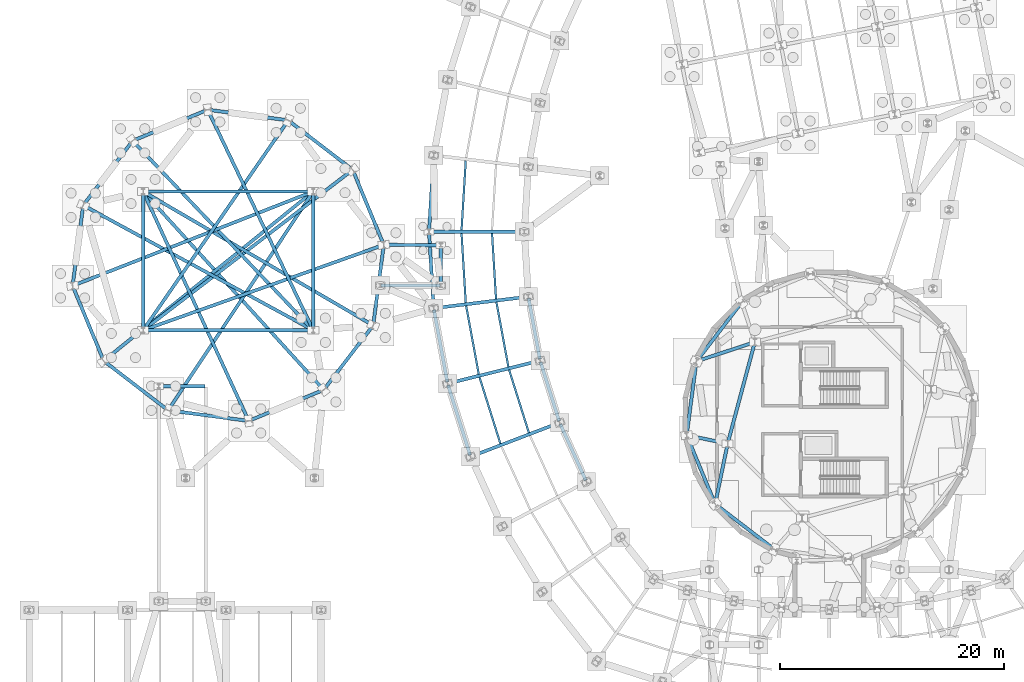
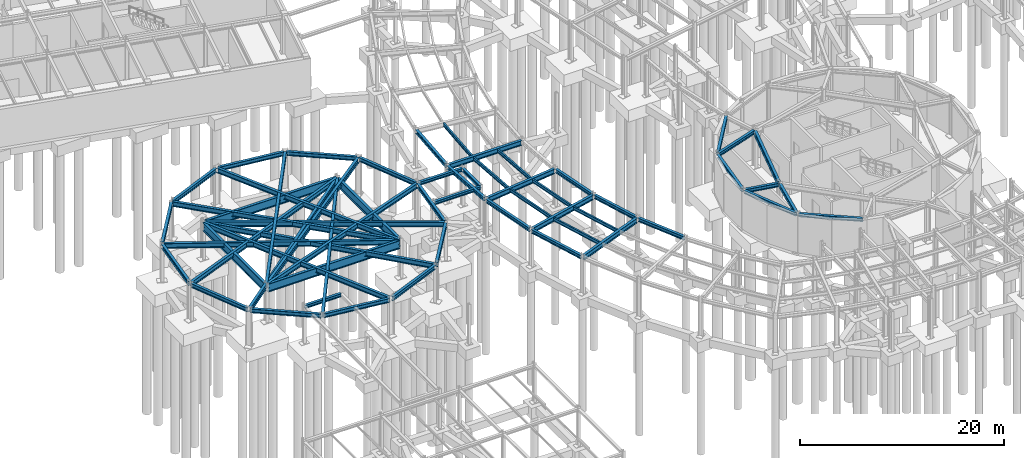
# One storey, part 29 of 50: 58 beams.
"""IFC4 building model written with IfcOpenShell, lengths in metres."""

from ifc_helpers import new_model, si_unit, direction, frame, origin, origin_2d, place, context, subcontext, project, spatial, i_section, extrude, material, material_profile, profile_set, type_object, element, save


model = new_model("IFC4")

# Units and contexts
model_context = context("Model", 3, precision=1e-05, world=origin(), true_north=direction((0.0, 1.0)))
body_context = subcontext(model_context, "Body", "Model", "MODEL_VIEW")
ifc_project = project(units=[si_unit("LENGTHUNIT", "METRE"), si_unit("AREAUNIT", "SQUARE_METRE"), si_unit("VOLUMEUNIT", "CUBIC_METRE"), si_unit("PLANEANGLEUNIT", "RADIAN"), si_unit("MASSUNIT", "GRAM", prefix="KILO")], contexts=[model_context])

# Site, building, storey
site_placement = place(None, origin())
site = spatial("IfcSite", under=ifc_project, at=site_placement, CompositionType="ELEMENT")
building_placement = place(site_placement, origin())
building = spatial("IfcBuilding", under=site, at=building_placement, Name="Varnklinge Art Gallery", CompositionType="ELEMENT")
storey_placement = place(building_placement, frame((0.0, 0.0, -4.800048828125)))
storey = spatial("IfcBuildingStorey", under=building, at=storey_placement, Name="B01", CompositionType="ELEMENT", Elevation=-4.800048828125)

# Beams
ifc_material_1 = material(Name="Steel S355", Category="steel")
ifc_material_profile_1 = material_profile(ifc_material_1, i_section(OverallWidth=0.300048828125, OverallDepth=1.0, WebThickness=0.01904296875, FlangeThickness=0.035888671875, FilletRadius=0.030029296875, at=origin_2d()), Name="HEB 1000")
ifc_profile_set_1 = profile_set([ifc_material_profile_1], Name="Steel S355")
beam_type_1 = type_object("IfcBeamType", Name="BM-01", PredefinedType="BEAM", material=ifc_profile_set_1)
beam_1_placement = place(storey_placement, frame((14.35009765625, 46.199951171875, 4.050048828125), z_axis=(1.0, 0.0, 0.0), x_axis=(0.0, 1.0, 0.0)))
element("IfcBeam", 1, at=beam_1_placement, inside=storey, type_object=beam_type_1, Name="B01 BM-01 BM-V3-L00-B1", PredefinedType="BEAM", context=body_context, shape_type="SweptSolid", body=[
    extrude(i_section(OverallWidth=0.300048828125, OverallDepth=1.0, WebThickness=0.01904296875, FlangeThickness=0.035888671875, FilletRadius=0.030029296875, at=origin_2d()), origin(), (0.0, 0.0, 1.0), 14.89990234375),
])
beam_2_placement = place(storey_placement, frame((29.39990234375, 46.35009765625, 4.050048828125), z_axis=(0.0, 1.0, 0.0), x_axis=(-1.0, 0.0, 0.0)))
element("IfcBeam", 2, at=beam_2_placement, inside=storey, type_object=beam_type_1, Name="B01 BM-01 BM-V3-L00-B2", PredefinedType="BEAM", context=body_context, shape_type="SweptSolid", body=[
    extrude(i_section(OverallWidth=0.300048828125, OverallDepth=1.0, WebThickness=0.01904296875, FlangeThickness=0.035888671875, FilletRadius=0.030029296875, at=origin_2d()), origin(), (0.0, 0.0, 1.0), 12.099853515625),
])
beam_3_placement = place(storey_placement, frame((29.25, 58.60009765625, 4.050048828125), z_axis=(-1.0, 0.0, 0.0), x_axis=(0.0, -1.0, 0.0)))
element("IfcBeam", 3, at=beam_3_placement, inside=storey, type_object=beam_type_1, Name="B01 BM-01 BM-V3-L00-B3", PredefinedType="BEAM", context=body_context, shape_type="SweptSolid", body=[
    extrude(i_section(OverallWidth=0.300048828125, OverallDepth=1.0, WebThickness=0.01904296875, FlangeThickness=0.035888671875, FilletRadius=0.030029296875, at=origin_2d()), origin(), (0.0, 0.0, 1.0), 14.89990234375),
])
beam_4_placement = place(storey_placement, frame((14.199951171875, 58.449951171875, 4.050048828125), z_axis=(0.0, -1.0, 0.0), x_axis=(1.0, 0.0, 0.0)))
element("IfcBeam", 4, at=beam_4_placement, inside=storey, type_object=beam_type_1, Name="B01 BM-01 BM-V3-L00-B4", PredefinedType="BEAM", context=body_context, shape_type="SweptSolid", body=[
    extrude(i_section(OverallWidth=0.300048828125, OverallDepth=1.0, WebThickness=0.01904296875, FlangeThickness=0.035888671875, FilletRadius=0.030029296875, at=origin_2d()), origin(), (0.0, 0.0, 1.0), 12.099853515625),
])
ifc_material_2 = material(Name="Steel S355", Category="steel")
ifc_material_profile_2 = material_profile(ifc_material_2, i_section(OverallWidth=0.300048828125, OverallDepth=0.590087890625, WebThickness=0.012939453125, FlangeThickness=0.02490234375, FilletRadius=0.027099609375, at=origin_2d()), Name="HEA 600")
ifc_profile_set_2 = profile_set([ifc_material_profile_2], Name="Steel S355")
beam_type_2 = type_object("IfcBeamType", Name="BM-06", PredefinedType="BEAM", material=ifc_profile_set_2)
for number, where, z_axis, x_axis, name in (
    (5, (39.881591796875, 55.0, 4.255126953125), (1.0, 0.0, 0.0), (0.0, 1.0, 0.0), "B01 BM-06 BM-V2-L00-R27"),
    (6, (40.297119140625, 48.18359375, 4.255126953125), (0.992595580805, 0.121466098009, 0.0), (-0.121466098009, 0.992595580805, 0.0), "B01 BM-06 BM-V2-L00-R28"),
):
    element("IfcBeam", number, at=place(storey_placement, frame(where, z_axis=z_axis, x_axis=x_axis)), inside=storey, type_object=beam_type_2, Name=name, PredefinedType="BEAM", context=body_context, shape_type="SweptSolid", body=[
        extrude(i_section(OverallWidth=0.300048828125, OverallDepth=0.590087890625, WebThickness=0.012939453125, FlangeThickness=0.02490234375, FilletRadius=0.027099609375, at=origin_2d()), origin(), (0.0, 0.0, 1.0), 8.23681640625),
    ])
beam_5_placement = place(storey_placement, frame((41.53759765625, 41.468017578125, 4.255126953125), z_axis=(0.970493677731, 0.241126567355, 0.0), x_axis=(-0.241126567355, 0.970493677731, 0.0)))
element("IfcBeam", 7, at=beam_5_placement, inside=storey, type_object=beam_type_2, Name="B01 BM-06 BM-V2-L00-R29", PredefinedType="BEAM", context=body_context, shape_type="SweptSolid", body=[
    extrude(i_section(OverallWidth=0.300048828125, OverallDepth=0.590087890625, WebThickness=0.012939453125, FlangeThickness=0.02490234375, FilletRadius=0.027099609375, at=origin_2d()), origin(), (0.0, 0.0, 1.0), 8.236572265625),
])
beam_6_placement = place(storey_placement, frame((43.584228515625, 34.952880859375, 4.255126953125), z_axis=(0.934013153302, 0.357238616976, 0.0), x_axis=(-0.357238616976, 0.934013153302, 0.0)))
element("IfcBeam", 8, at=beam_6_placement, inside=storey, type_object=beam_type_2, Name="B01 BM-06 BM-V2-L00-R30", PredefinedType="BEAM", context=body_context, shape_type="SweptSolid", body=[
    extrude(i_section(OverallWidth=0.300048828125, OverallDepth=0.590087890625, WebThickness=0.012939453125, FlangeThickness=0.02490234375, FilletRadius=0.027099609375, at=origin_2d()), origin(), (0.0, 0.0, 1.0), 8.237060546875),
])
beam_7_placement = place(storey_placement, frame((14.331787109375, 46.246826171875, 4.255126953125), z_axis=(0.942415078028, 0.334445542211, 0.0), x_axis=(-0.334445542211, 0.942415078028, 0.0)))
element("IfcBeam", 9, at=beam_7_placement, inside=storey, type_object=beam_type_2, Name="B01 BM-06 BM-V3-L00-R01", PredefinedType="BEAM", context=body_context, shape_type="SweptSolid", body=[
    extrude(i_section(OverallWidth=0.300048828125, OverallDepth=0.590087890625, WebThickness=0.012939453125, FlangeThickness=0.02490234375, FilletRadius=0.027099609375, at=origin_2d()), origin(), (0.0, 0.0, 1.0), 22.533935546875),
])
beam_8_placement = place(storey_placement, frame((14.311279296875, 46.28515625, 4.255126953125), z_axis=(0.793999311532, 0.607918656801, 0.0), x_axis=(-0.607918656801, 0.793999311532, 0.0)))
element("IfcBeam", 10, at=beam_8_placement, inside=storey, type_object=beam_type_2, Name="B01 BM-06 BM-V3-L00-R02", PredefinedType="BEAM", context=body_context, shape_type="SweptSolid", body=[
    extrude(i_section(OverallWidth=0.300048828125, OverallDepth=0.590087890625, WebThickness=0.012939453125, FlangeThickness=0.02490234375, FilletRadius=0.027099609375, at=origin_2d()), origin(), (0.0, 0.0, 1.0), 23.300048828125),
])
beam_9_placement = place(storey_placement, frame((14.279541015625, 46.315185546875, 4.255126953125), z_axis=(0.568696833089, 0.822547209608, 0.0), x_axis=(-0.822547209608, 0.568696833089, 0.0)))
element("IfcBeam", 11, at=beam_9_placement, inside=storey, type_object=beam_type_2, Name="B01 BM-06 BM-V3-L00-R03", PredefinedType="BEAM", context=body_context, shape_type="SweptSolid", body=[
    extrude(i_section(OverallWidth=0.300048828125, OverallDepth=0.590087890625, WebThickness=0.012939453125, FlangeThickness=0.02490234375, FilletRadius=0.027099609375, at=origin_2d()), origin(), (0.0, 0.0, 1.0), 22.518310546875),
])
beam_10_placement = place(storey_placement, frame((29.339599609375, 46.326416015625, 4.255126953125), z_axis=(-0.431765596733, 0.901985847715, 0.0), x_axis=(-0.901985847715, -0.431765596733, 0.0)))
element("IfcBeam", 12, at=beam_10_placement, inside=storey, type_object=beam_type_2, Name="B01 BM-06 BM-V3-L00-R04", PredefinedType="BEAM", context=body_context, shape_type="SweptSolid", body=[
    extrude(i_section(OverallWidth=0.300048828125, OverallDepth=0.590087890625, WebThickness=0.012939453125, FlangeThickness=0.02490234375, FilletRadius=0.027099609375, at=origin_2d()), origin(), (0.0, 0.0, 1.0), 21.560546875),
])
beam_11_placement = place(storey_placement, frame((29.303466796875, 46.30126953125, 4.255126953125), z_axis=(-0.690055379945, 0.723756569994, 0.0), x_axis=(-0.723756569994, -0.690055379945, 0.0)))
element("IfcBeam", 13, at=beam_11_placement, inside=storey, type_object=beam_type_2, Name="B01 BM-06 BM-V3-L00-R05", PredefinedType="BEAM", context=body_context, shape_type="SweptSolid", body=[
    extrude(i_section(OverallWidth=0.300048828125, OverallDepth=0.590087890625, WebThickness=0.012939453125, FlangeThickness=0.02490234375, FilletRadius=0.027099609375, at=origin_2d()), origin(), (0.0, 0.0, 1.0), 23.10205078125),
])
beam_12_placement = place(storey_placement, frame((29.277099609375, 46.266845703125, 4.255126953125), z_axis=(-0.878712659492, 0.477351088873, 0.0), x_axis=(-0.477351088873, -0.878712659492, 0.0)))
element("IfcBeam", 14, at=beam_12_placement, inside=storey, type_object=beam_type_2, Name="B01 BM-06 BM-V3-L00-R06", PredefinedType="BEAM", context=body_context, shape_type="SweptSolid", body=[
    extrude(i_section(OverallWidth=0.300048828125, OverallDepth=0.590087890625, WebThickness=0.012939453125, FlangeThickness=0.02490234375, FilletRadius=0.027099609375, at=origin_2d()), origin(), (0.0, 0.0, 1.0), 23.10986328125),
])
beam_13_placement = place(storey_placement, frame((29.269775390625, 58.548828125, 4.255126953125), z_axis=(-0.930996731965, -0.365027512757, 0.0), x_axis=(0.365027512757, -0.930996731965, 0.0)))
element("IfcBeam", 15, at=beam_13_placement, inside=storey, type_object=beam_type_2, Name="B01 BM-06 BM-V3-L00-R07", PredefinedType="BEAM", context=body_context, shape_type="SweptSolid", body=[
    extrude(i_section(OverallWidth=0.300048828125, OverallDepth=0.590087890625, WebThickness=0.012939453125, FlangeThickness=0.02490234375, FilletRadius=0.027099609375, at=origin_2d()), origin(), (0.0, 0.0, 1.0), 22.813720703125),
])
beam_14_placement = place(storey_placement, frame((29.291015625, 58.511962890625, 4.255126953125), z_axis=(-0.777684563624, -0.628654690192, 0.0), x_axis=(0.628654690192, -0.777684563624, 0.0)))
element("IfcBeam", 16, at=beam_14_placement, inside=storey, type_object=beam_type_2, Name="B01 BM-06 BM-V3-L00-R08", PredefinedType="BEAM", context=body_context, shape_type="SweptSolid", body=[
    extrude(i_section(OverallWidth=0.300048828125, OverallDepth=0.590087890625, WebThickness=0.012939453125, FlangeThickness=0.02490234375, FilletRadius=0.027099609375, at=origin_2d()), origin(), (0.0, 0.0, 1.0), 23.794921875),
])
beam_15_placement = place(storey_placement, frame((29.322509765625, 58.4833984375, 4.255126953125), z_axis=(-0.552625287953, -0.833429835748, 0.0), x_axis=(0.833429835748, -0.552625287953, 0.0)))
element("IfcBeam", 17, at=beam_15_placement, inside=storey, type_object=beam_type_2, Name="B01 BM-06 BM-V3-L00-R09", PredefinedType="BEAM", context=body_context, shape_type="SweptSolid", body=[
    extrude(i_section(OverallWidth=0.300048828125, OverallDepth=0.590087890625, WebThickness=0.012939453125, FlangeThickness=0.02490234375, FilletRadius=0.027099609375, at=origin_2d()), origin(), (0.0, 0.0, 1.0), 23.180908203125),
])
beam_16_placement = place(storey_placement, frame((14.258544921875, 58.472900390625, 4.255126953125), z_axis=(0.417901810576, -0.908492199591, 0.0), x_axis=(0.908492199591, 0.417901810576, 0.0)))
element("IfcBeam", 18, at=beam_16_placement, inside=storey, type_object=beam_type_2, Name="B01 BM-06 BM-V3-L00-R10", PredefinedType="BEAM", context=body_context, shape_type="SweptSolid", body=[
    extrude(i_section(OverallWidth=0.300048828125, OverallDepth=0.590087890625, WebThickness=0.012939453125, FlangeThickness=0.02490234375, FilletRadius=0.027099609375, at=origin_2d()), origin(), (0.0, 0.0, 1.0), 22.28515625),
])
beam_17_placement = place(storey_placement, frame((14.294189453125, 58.49658203125, 4.255126953125), z_axis=(0.673198970183, -0.739461389488, 0.0), x_axis=(0.739461389488, 0.673198970183, 0.0)))
element("IfcBeam", 19, at=beam_17_placement, inside=storey, type_object=beam_type_2, Name="B01 BM-06 BM-V3-L00-R11", PredefinedType="BEAM", context=body_context, shape_type="SweptSolid", body=[
    extrude(i_section(OverallWidth=0.300048828125, OverallDepth=0.590087890625, WebThickness=0.012939453125, FlangeThickness=0.02490234375, FilletRadius=0.027099609375, at=origin_2d()), origin(), (0.0, 0.0, 1.0), 23.687255859375),
])
beam_18_placement = place(storey_placement, frame((14.321044921875, 58.529541015625, 4.255126953125), z_axis=(0.864213746904, -0.503124835068, 0.0), x_axis=(0.503124835068, 0.864213746904, 0.0)))
element("IfcBeam", 20, at=beam_18_placement, inside=storey, type_object=beam_type_2, Name="B01 BM-06 BM-V3-L00-R12", PredefinedType="BEAM", context=body_context, shape_type="SweptSolid", body=[
    extrude(i_section(OverallWidth=0.300048828125, OverallDepth=0.590087890625, WebThickness=0.012939453125, FlangeThickness=0.02490234375, FilletRadius=0.027099609375, at=origin_2d()), origin(), (0.0, 0.0, 1.0), 23.501953125),
])
beam_19_placement = place(storey_placement, frame((68.81689453125, 45.01171875, 4.255126953125), z_axis=(-0.258808787016, -0.965928574877, 0.0), x_axis=(0.965928574877, -0.258808787016, 0.0)))
element("IfcBeam", 21, at=beam_19_placement, inside=storey, type_object=beam_type_2, Name="B01 BM-06 BM-V4D-L00-I3", PredefinedType="BEAM", context=body_context, shape_type="SweptSolid", body=[
    extrude(i_section(OverallWidth=0.300048828125, OverallDepth=0.590087890625, WebThickness=0.012939453125, FlangeThickness=0.02490234375, FilletRadius=0.027099609375, at=origin_2d()), origin(), (0.0, 0.0, 1.0), 9.1201171875),
])
ifc_material_3 = material(Name="Steel S355", Category="steel")
ifc_material_profile_3 = material_profile(ifc_material_3, i_section(OverallWidth=0.300048828125, OverallDepth=0.489990234375, WebThickness=0.011962890625, FlangeThickness=0.02294921875, FilletRadius=0.027099609375, at=origin_2d()), Name="HEA 500")
ifc_profile_set_3 = profile_set([ifc_material_profile_3], Name="Steel S355")
beam_type_3 = type_object("IfcBeamType", Name="BM-07", PredefinedType="BEAM", material=ifc_profile_set_3)
beam_20_placement = place(storey_placement, frame((35.646484375, 53.959228515625, 4.304931640625), z_axis=(-0.382686571243, 0.923878232339, 0.0), x_axis=(-0.923878232339, -0.382686571243, 0.0)))
element("IfcBeam", 22, at=beam_20_placement, inside=storey, type_object=beam_type_3, Name="B01 BM-07 BM-V3-L00-P01", PredefinedType="BEAM", context=body_context, shape_type="SweptSolid", body=[
    extrude(i_section(OverallWidth=0.300048828125, OverallDepth=0.489990234375, WebThickness=0.011962890625, FlangeThickness=0.02294921875, FilletRadius=0.027099609375, at=origin_2d()), origin(), (0.0, 0.0, 1.0), 6.9775390625),
])
beam_21_placement = place(storey_placement, frame((32.811767578125, 60.6201171875, 4.304931640625), z_axis=(-0.793346661628, 0.608770132713, 0.0), x_axis=(-0.608770132713, -0.793346661628, 0.0)))
element("IfcBeam", 23, at=beam_21_placement, inside=storey, type_object=beam_type_3, Name="B01 BM-07 BM-V3-L00-P02", PredefinedType="BEAM", context=body_context, shape_type="SweptSolid", body=[
    extrude(i_section(OverallWidth=0.300048828125, OverallDepth=0.489990234375, WebThickness=0.011962890625, FlangeThickness=0.02294921875, FilletRadius=0.027099609375, at=origin_2d()), origin(), (0.0, 0.0, 1.0), 6.977294921875),
])
beam_22_placement = place(storey_placement, frame((27.0263671875, 64.97119140625, 4.304931640625), z_axis=(-0.991445956564, 0.130517873155, 0.0), x_axis=(-0.130517873155, -0.991445956564, 0.0)))
element("IfcBeam", 24, at=beam_22_placement, inside=storey, type_object=beam_type_3, Name="B01 BM-07 BM-V3-L00-P03", PredefinedType="BEAM", context=body_context, shape_type="SweptSolid", body=[
    extrude(i_section(OverallWidth=0.300048828125, OverallDepth=0.489990234375, WebThickness=0.011962890625, FlangeThickness=0.02294921875, FilletRadius=0.027099609375, at=origin_2d()), origin(), (0.0, 0.0, 1.0), 6.97705078125),
])
for number, where, z_axis, x_axis, name in (
    (25, (19.8408203125, 65.846435546875, 4.304931640625), (-0.92389060297, -0.38265670482, 0.0), (0.38265670482, -0.92389060297, 0.0), "B01 BM-07 BM-V3-L00-P04"),
    (26, (13.179931640625, 63.01171875, 4.304931640625), (-0.608770132713, -0.793346661628, 0.0), (0.793346661628, -0.608770132713, 0.0), "B01 BM-07 BM-V3-L00-P05"),
):
    element("IfcBeam", number, at=place(storey_placement, frame(where, z_axis=z_axis, x_axis=x_axis)), inside=storey, type_object=beam_type_3, Name=name, PredefinedType="BEAM", context=body_context, shape_type="SweptSolid", body=[
        extrude(i_section(OverallWidth=0.300048828125, OverallDepth=0.489990234375, WebThickness=0.011962890625, FlangeThickness=0.02294921875, FilletRadius=0.027099609375, at=origin_2d()), origin(), (0.0, 0.0, 1.0), 6.977294921875),
    ])
beam_23_placement = place(storey_placement, frame((8.828857421875, 57.226318359375, 4.304931640625), z_axis=(-0.130517873155, -0.991445956564, 0.0), x_axis=(0.991445956564, -0.130517873155, 0.0)))
element("IfcBeam", 27, at=beam_23_placement, inside=storey, type_object=beam_type_3, Name="B01 BM-07 BM-V3-L00-P06", PredefinedType="BEAM", context=body_context, shape_type="SweptSolid", body=[
    extrude(i_section(OverallWidth=0.300048828125, OverallDepth=0.489990234375, WebThickness=0.011962890625, FlangeThickness=0.02294921875, FilletRadius=0.027099609375, at=origin_2d()), origin(), (0.0, 0.0, 1.0), 6.97705078125),
])
for number, where, z_axis, x_axis, name in (
    (28, (7.95361328125, 50.040771484375, 4.304931640625), (0.38265670482, -0.92389060297, 0.0), (0.92389060297, 0.38265670482, 0.0), "B01 BM-07 BM-V3-L00-P07"),
    (29, (10.788330078125, 43.3798828125, 4.304931640625), (0.793346661628, -0.608770132713, 0.0), (0.608770132713, 0.793346661628, 0.0), "B01 BM-07 BM-V3-L00-P08"),
    (30, (16.573486328125, 39.02880859375, 4.304931640625), (0.991446552608, -0.130513345376, 0.0), (0.130513345376, 0.991446552608, 0.0), "B01 BM-07 BM-V3-L00-P09"),
    (31, (23.75927734375, 38.153564453125, 4.304931640625), (0.92389060297, 0.38265670482, 0.0), (-0.38265670482, 0.92389060297, 0.0), "B01 BM-07 BM-V3-L00-P10"),
    (32, (30.419921875, 40.98828125, 4.304931640625), (0.608770132713, 0.793346661628, 0.0), (-0.793346661628, 0.608770132713, 0.0), "B01 BM-07 BM-V3-L00-P11"),
    (33, (34.77099609375, 46.773681640625, 4.304931640625), (0.130552268231, 0.991441428053, 0.0), (-0.991441428053, 0.130552268231, 0.0), "B01 BM-07 BM-V3-L00-P12"),
):
    element("IfcBeam", number, at=place(storey_placement, frame(where, z_axis=z_axis, x_axis=x_axis)), inside=storey, type_object=beam_type_3, Name=name, PredefinedType="BEAM", context=body_context, shape_type="SweptSolid", body=[
        extrude(i_section(OverallWidth=0.300048828125, OverallDepth=0.489990234375, WebThickness=0.011962890625, FlangeThickness=0.02294921875, FilletRadius=0.027099609375, at=origin_2d()), origin(), (0.0, 0.0, 1.0), 6.977294921875),
    ])
ifc_material_4 = material(Name="Steel S355", Category="steel")
ifc_material_profile_4 = material_profile(ifc_material_4, i_section(OverallWidth=0.300048828125, OverallDepth=0.43994140625, WebThickness=0.011474609375, FlangeThickness=0.02099609375, FilletRadius=0.027099609375, at=origin_2d()), Name="HEA 450")
ifc_profile_set_4 = profile_set([ifc_material_profile_4], Name="Steel S355")
beam_type_4 = type_object("IfcBeamType", Name="BM-08", PredefinedType="BEAM", material=ifc_profile_set_4)
for number, where, z_axis, x_axis, name in (
    (34, (40.1494140625, 61.69384765625, 4.330078125), (-0.060827334582, -0.998148303293, 0.0), (0.998148303293, -0.060827334582, 0.0), "B01 BM-08 BM-V2-L00-O26"),
    (35, (39.75, 54.8603515625, 4.330078125), (0.060827334582, -0.998148303293, 0.0), (0.998148303293, 0.060827334582, 0.0), "B01 BM-08 BM-V2-L00-O27"),
):
    element("IfcBeam", number, at=place(storey_placement, frame(where, z_axis=z_axis, x_axis=x_axis)), inside=storey, type_object=beam_type_4, Name=name, PredefinedType="BEAM", context=body_context, shape_type="SweptSolid", body=[
        extrude(i_section(OverallWidth=0.300048828125, OverallDepth=0.43994140625, WebThickness=0.011474609375, FlangeThickness=0.02099609375, FilletRadius=0.027099609375, at=origin_2d()), origin(), (0.0, 0.0, 1.0), 6.56640625),
    ])
beam_24_placement = place(storey_placement, frame((40.183349609375, 48.02880859375, 4.330078125), z_axis=(0.181672496831, -0.983359092039, 0.0), x_axis=(0.983359092039, 0.181672496831, 0.0)))
element("IfcBeam", 36, at=beam_24_placement, inside=storey, type_object=beam_type_4, Name="B01 BM-08 BM-V2-L00-O28", PredefinedType="BEAM", context=body_context, shape_type="SweptSolid", body=[
    extrude(i_section(OverallWidth=0.300048828125, OverallDepth=0.43994140625, WebThickness=0.011474609375, FlangeThickness=0.02099609375, FilletRadius=0.027099609375, at=origin_2d()), origin(), (0.0, 0.0, 1.0), 6.566162109375),
])
beam_25_placement = place(storey_placement, frame((48.637451171875, 49.0634765625, 4.330078125), z_axis=(0.181635496942, -0.983365926932, 0.0), x_axis=(0.983365926932, 0.181635496942, 0.0)))
element("IfcBeam", 37, at=beam_25_placement, inside=storey, type_object=beam_type_4, Name="B01 BM-08 BM-V2-L00-I28", PredefinedType="BEAM", context=body_context, shape_type="SweptSolid", body=[
    extrude(i_section(OverallWidth=0.300048828125, OverallDepth=0.43994140625, WebThickness=0.011474609375, FlangeThickness=0.02099609375, FilletRadius=0.027099609375, at=origin_2d()), origin(), (0.0, 0.0, 1.0), 5.52978515625),
])
beam_26_placement = place(storey_placement, frame((41.443603515625, 41.300537109375, 4.330078125), z_axis=(0.299727009364, -0.95402501008, 0.0), x_axis=(0.95402501008, 0.299727009364, 0.0)))
element("IfcBeam", 38, at=beam_26_placement, inside=storey, type_object=beam_type_4, Name="B01 BM-08 BM-V2-L00-O29", PredefinedType="BEAM", context=body_context, shape_type="SweptSolid", body=[
    extrude(i_section(OverallWidth=0.300048828125, OverallDepth=0.43994140625, WebThickness=0.011474609375, FlangeThickness=0.02099609375, FilletRadius=0.027099609375, at=origin_2d()), origin(), (0.0, 0.0, 1.0), 6.56591796875),
])
for number, where, z_axis, x_axis, name in (
    (39, (49.709228515625, 43.3544921875, 4.330078125), (0.299742786947, -0.954020053077, 0.0), (0.954020053077, 0.299742786947, 0.0), "B01 BM-08 BM-V2-L00-I29"),
    (40, (51.466552734375, 37.81787109375, 4.330078125), (0.413397065821, -0.910550858531, 0.0), (0.910550858531, 0.413397065821, 0.0), "B01 BM-08 BM-V2-L00-I30"),
):
    element("IfcBeam", number, at=place(storey_placement, frame(where, z_axis=z_axis, x_axis=x_axis)), inside=storey, type_object=beam_type_4, Name=name, PredefinedType="BEAM", context=body_context, shape_type="SweptSolid", body=[
        extrude(i_section(OverallWidth=0.300048828125, OverallDepth=0.43994140625, WebThickness=0.011474609375, FlangeThickness=0.02099609375, FilletRadius=0.027099609375, at=origin_2d()), origin(), (0.0, 0.0, 1.0), 5.529541015625),
    ])
beam_27_placement = place(storey_placement, frame((68.72021484375, 45.102783203125, 4.330078125), z_axis=(-0.949354152102, -0.314208042366, 0.0), x_axis=(0.314208042366, -0.949354152102, 0.0)))
element("IfcBeam", 41, at=beam_27_placement, inside=storey, type_object=beam_type_4, Name="B01 BM-08 BM-V4D-L00-R06", PredefinedType="BEAM", context=body_context, shape_type="SweptSolid", body=[
    extrude(i_section(OverallWidth=0.300048828125, OverallDepth=0.43994140625, WebThickness=0.011474609375, FlangeThickness=0.02099609375, FilletRadius=0.027099609375, at=origin_2d()), origin(), (0.0, 0.0, 1.0), 5.223876953125),
])
beam_28_placement = place(storey_placement, frame((66.283203125, 36.095458984375, 4.330078125), z_axis=(-0.979353549328, 0.202154953982, 0.0), x_axis=(-0.202154953982, -0.979353549328, 0.0)))
element("IfcBeam", 42, at=beam_28_placement, inside=storey, type_object=beam_type_4, Name="B01 BM-08 BM-V4D-L00-R07", PredefinedType="BEAM", context=body_context, shape_type="SweptSolid", body=[
    extrude(i_section(OverallWidth=0.300048828125, OverallDepth=0.43994140625, WebThickness=0.011474609375, FlangeThickness=0.02099609375, FilletRadius=0.027099609375, at=origin_2d()), origin(), (0.0, 0.0, 1.0), 3.45751953125),
])
beam_29_placement = place(storey_placement, frame((66.391845703125, 35.929931640625, 4.330078125), z_axis=(-0.202556149381, -0.979270650202, 0.0), x_axis=(0.979270650202, -0.202556149381, 0.0)))
element("IfcBeam", 43, at=beam_29_placement, inside=storey, type_object=beam_type_4, Name="B01 BM-08 BM-V4D-L00-R08", PredefinedType="BEAM", context=body_context, shape_type="SweptSolid", body=[
    extrude(i_section(OverallWidth=0.300048828125, OverallDepth=0.43994140625, WebThickness=0.011474609375, FlangeThickness=0.02099609375, FilletRadius=0.027099609375, at=origin_2d()), origin(), (0.0, 0.0, 1.0), 5.223876953125),
])
ifc_material_5 = material(Name="Steel S355", Category="steel")
ifc_material_profile_5 = material_profile(ifc_material_5, i_section(OverallWidth=0.300048828125, OverallDepth=0.389892578125, WebThickness=0.010986328125, FlangeThickness=0.01904296875, FilletRadius=0.027099609375, at=origin_2d()), Name="HEA 400")
ifc_profile_set_5 = profile_set([ifc_material_profile_5], Name="Steel S355")
beam_type_5 = type_object("IfcBeamType", Name="BM-09", PredefinedType="BEAM", material=ifc_profile_set_5)
beam_30_placement = place(storey_placement, frame((35.4599609375, 50.199951171875, 4.35498046875), z_axis=(1.0, 0.0, 0.0), x_axis=(0.0, 1.0, 0.0)))
element("IfcBeam", 44, at=beam_30_placement, inside=storey, type_object=beam_type_5, Name="B01 BM-09 BM-LNK-V3-L00-1", PredefinedType="BEAM", context=body_context, shape_type="SweptSolid", body=[
    extrude(i_section(OverallWidth=0.300048828125, OverallDepth=0.389892578125, WebThickness=0.010986328125, FlangeThickness=0.01904296875, FilletRadius=0.027099609375, at=origin_2d()), origin(), (0.0, 0.0, 1.0), 5.280029296875),
])
beam_31_placement = place(storey_placement, frame((40.800048828125, 50.260009765625, 4.35498046875), z_axis=(0.0, 1.0, 0.0), x_axis=(-1.0, 0.0, 0.0)))
element("IfcBeam", 45, at=beam_31_placement, inside=storey, type_object=beam_type_5, Name="B01 BM-09 BM-LNK-V3-L00-2", PredefinedType="BEAM", context=body_context, shape_type="SweptSolid", body=[
    extrude(i_section(OverallWidth=0.300048828125, OverallDepth=0.389892578125, WebThickness=0.010986328125, FlangeThickness=0.01904296875, FilletRadius=0.027099609375, at=origin_2d()), origin(), (0.0, 0.0, 1.0), 3.47998046875),
])
beam_32_placement = place(storey_placement, frame((40.739990234375, 53.80029296875, 4.35498046875), z_axis=(-0.999982696018, 0.005882827901, 0.0), x_axis=(-0.005882827901, -0.999982696018, 0.0)))
element("IfcBeam", 46, at=beam_32_placement, inside=storey, type_object=beam_type_5, Name="B01 BM-09 BM-LNK-V3-L00-3", PredefinedType="BEAM", context=body_context, shape_type="SweptSolid", body=[
    extrude(i_section(OverallWidth=0.300048828125, OverallDepth=0.389892578125, WebThickness=0.010986328125, FlangeThickness=0.01904296875, FilletRadius=0.027099609375, at=origin_2d()), origin(), (0.0, 0.0, 1.0), 4.97998046875),
])
beam_33_placement = place(storey_placement, frame((19.739990234375, 41.199951171875, 4.35498046875), z_axis=(-1.0, 0.0, 0.0), x_axis=(0.0, -1.0, 0.0)))
element("IfcBeam", 47, at=beam_33_placement, inside=storey, type_object=beam_type_5, Name="B01 BM-09 BM-LNK-SW-L00-3", PredefinedType="BEAM", context=body_context, shape_type="SweptSolid", body=[
    extrude(i_section(OverallWidth=0.300048828125, OverallDepth=0.389892578125, WebThickness=0.010986328125, FlangeThickness=0.01904296875, FilletRadius=0.027099609375, at=origin_2d()), origin(), (0.0, 0.0, 1.0), 4.080078125),
])
ifc_material_6 = material(Name="Steel S355", Category="steel")
ifc_material_profile_6 = material_profile(ifc_material_6, i_section(OverallWidth=0.179931640625, OverallDepth=0.39990234375, WebThickness=0.008544921875, FlangeThickness=0.013427734375, FilletRadius=0.02099609375, at=origin_2d()), Name="IPE 400")
ifc_profile_set_6 = profile_set([ifc_material_profile_6], Name="Steel S355")
beam_type_6 = type_object("IfcBeamType", Name="JST-05", PredefinedType="JOIST", material=ifc_profile_set_6)
for number, where, z_axis, x_axis, name in (
    (48, (43.023681640625, 61.342041015625, 4.35009765625), (-0.060820084919, -0.998148745063, 0.0), (0.998148745063, -0.060820084919, 0.0), "B01 JST-05 JST-V2-L00-26-1"),
    (49, (42.645751953125, 54.8603515625, 4.35009765625), (0.060820084919, -0.998148745063, 0.0), (0.998148745063, 0.060820084919, 0.0), "B01 JST-05 JST-V2-L00-27-1"),
):
    element("IfcBeam", number, at=place(storey_placement, frame(where, z_axis=z_axis, x_axis=x_axis)), inside=storey, type_object=beam_type_6, Name=name, PredefinedType="JOIST", context=body_context, shape_type="SweptSolid", body=[
        extrude(i_section(OverallWidth=0.179931640625, OverallDepth=0.39990234375, WebThickness=0.008544921875, FlangeThickness=0.013427734375, FilletRadius=0.02099609375, at=origin_2d()), origin(), (0.0, 0.0, 1.0), 6.2138671875),
    ])
beam_34_placement = place(storey_placement, frame((45.37109375, 54.8603515625, 4.35009765625), z_axis=(0.060845929193, -0.998147169961, 0.0), x_axis=(0.998147169961, 0.060845929193, 0.0)))
element("IfcBeam", 50, at=beam_34_placement, inside=storey, type_object=beam_type_6, Name="B01 JST-05 JST-V2-L00-27-2", PredefinedType="JOIST", context=body_context, shape_type="SweptSolid", body=[
    extrude(i_section(OverallWidth=0.179931640625, OverallDepth=0.39990234375, WebThickness=0.008544921875, FlangeThickness=0.013427734375, FilletRadius=0.02099609375, at=origin_2d()), origin(), (0.0, 0.0, 1.0), 5.88232421875),
])
beam_35_placement = place(storey_placement, frame((43.057861328125, 48.380615234375, 4.35009765625), z_axis=(0.181640421722, -0.983365017273, 0.0), x_axis=(0.983365017273, 0.181640421722, 0.0)))
element("IfcBeam", 51, at=beam_35_placement, inside=storey, type_object=beam_type_6, Name="B01 JST-05 JST-V2-L00-28-1", PredefinedType="JOIST", context=body_context, shape_type="SweptSolid", body=[
    extrude(i_section(OverallWidth=0.179931640625, OverallDepth=0.39990234375, WebThickness=0.008544921875, FlangeThickness=0.013427734375, FilletRadius=0.02099609375, at=origin_2d()), origin(), (0.0, 0.0, 1.0), 6.213623046875),
])
beam_36_placement = place(storey_placement, frame((45.76318359375, 48.711669921875, 4.35009765625), z_axis=(0.181631460363, -0.983366672512, 0.0), x_axis=(0.983366672512, 0.181631460363, 0.0)))
element("IfcBeam", 52, at=beam_36_placement, inside=storey, type_object=beam_type_6, Name="B01 JST-05 JST-V2-L00-28-2", PredefinedType="JOIST", context=body_context, shape_type="SweptSolid", body=[
    extrude(i_section(OverallWidth=0.179931640625, OverallDepth=0.39990234375, WebThickness=0.008544921875, FlangeThickness=0.013427734375, FilletRadius=0.02099609375, at=origin_2d()), origin(), (0.0, 0.0, 1.0), 5.882080078125),
])
beam_37_placement = place(storey_placement, frame((44.25390625, 41.998779296875, 4.35009765625), z_axis=(0.29971318729, -0.954029352465, 0.0), x_axis=(0.954029352465, 0.29971318729, 0.0)))
element("IfcBeam", 53, at=beam_37_placement, inside=storey, type_object=beam_type_6, Name="B01 JST-05 JST-V2-L00-29-1", PredefinedType="JOIST", context=body_context, shape_type="SweptSolid", body=[
    extrude(i_section(OverallWidth=0.179931640625, OverallDepth=0.39990234375, WebThickness=0.008544921875, FlangeThickness=0.013427734375, FilletRadius=0.02099609375, at=origin_2d()), origin(), (0.0, 0.0, 1.0), 6.213623046875),
])
beam_38_placement = place(storey_placement, frame((46.89892578125, 42.656005859375, 4.35009765625), z_axis=(0.299756442746, -0.954015762465, 0.0), x_axis=(0.954015762465, 0.299756442746, 0.0)))
element("IfcBeam", 54, at=beam_38_placement, inside=storey, type_object=beam_type_6, Name="B01 JST-05 JST-V2-L00-29-2", PredefinedType="JOIST", context=body_context, shape_type="SweptSolid", body=[
    extrude(i_section(OverallWidth=0.179931640625, OverallDepth=0.39990234375, WebThickness=0.008544921875, FlangeThickness=0.013427734375, FilletRadius=0.02099609375, at=origin_2d()), origin(), (0.0, 0.0, 1.0), 5.882080078125),
])
ifc_material_7 = material(Name="Steel S355", Category="steel")
ifc_material_profile_7 = material_profile(ifc_material_7, i_section(OverallWidth=0.300048828125, OverallDepth=0.389892578125, WebThickness=0.010986328125, FlangeThickness=0.01904296875, FilletRadius=0.027099609375, at=origin_2d()), Name="HEA 400")
ifc_profile_set_7 = profile_set([ifc_material_profile_7], Name="Steel S355")
beam_type_7 = type_object("IfcBeamType", Name="SPB-03", PredefinedType="SPANDREL", material=ifc_profile_set_7)
beam_39_placement = place(storey_placement, frame((67.59228515625, 48.58349609375, 4.35498046875), z_axis=(-0.608773359857, -0.793344185287, 0.0), x_axis=(0.793344185287, -0.608773359857, 0.0)))
element("IfcBeam", 55, at=beam_39_placement, inside=storey, type_object=beam_type_7, Name="B01 SPB-03 BM-V4D-L00-P05", PredefinedType="SPANDREL", context=body_context, shape_type="SweptSolid", body=[
    extrude(i_section(OverallWidth=0.300048828125, OverallDepth=0.389892578125, WebThickness=0.010986328125, FlangeThickness=0.01904296875, FilletRadius=0.027099609375, at=origin_2d()), origin(), (0.0, 0.0, 1.0), 6.37158203125),
])
beam_40_placement = place(storey_placement, frame((63.60986328125, 43.27880859375, 4.35498046875), z_axis=(-0.130502087099, -0.991448034575, 0.0), x_axis=(0.991448034575, -0.130502087099, 0.0)))
element("IfcBeam", 56, at=beam_40_placement, inside=storey, type_object=beam_type_7, Name="B01 SPB-03 BM-V4D-L00-P06", PredefinedType="SPANDREL", context=body_context, shape_type="SweptSolid", body=[
    extrude(i_section(OverallWidth=0.300048828125, OverallDepth=0.389892578125, WebThickness=0.010986328125, FlangeThickness=0.01904296875, FilletRadius=0.027099609375, at=origin_2d()), origin(), (0.0, 0.0, 1.0), 6.371826171875),
])
for number, where, z_axis, x_axis, name in (
    (57, (62.8134765625, 36.693359375, 4.35498046875), (0.382666510137, -0.923886541746, 0.0), (0.923886541746, 0.382666510137, 0.0), "B01 SPB-03 BM-V4D-L00-P07"),
    (58, (65.41650390625, 30.59228515625, 4.35498046875), (0.793344185287, -0.608773359857, 0.0), (0.608773359857, 0.793344185287, 0.0), "B01 SPB-03 BM-V4D-L00-P08"),
):
    element("IfcBeam", number, at=place(storey_placement, frame(where, z_axis=z_axis, x_axis=x_axis)), inside=storey, type_object=beam_type_7, Name=name, PredefinedType="SPANDREL", context=body_context, shape_type="SweptSolid", body=[
        extrude(i_section(OverallWidth=0.300048828125, OverallDepth=0.389892578125, WebThickness=0.010986328125, FlangeThickness=0.01904296875, FilletRadius=0.027099609375, at=origin_2d()), origin(), (0.0, 0.0, 1.0), 6.37158203125),
    ])

save(model, "model.ifc")
